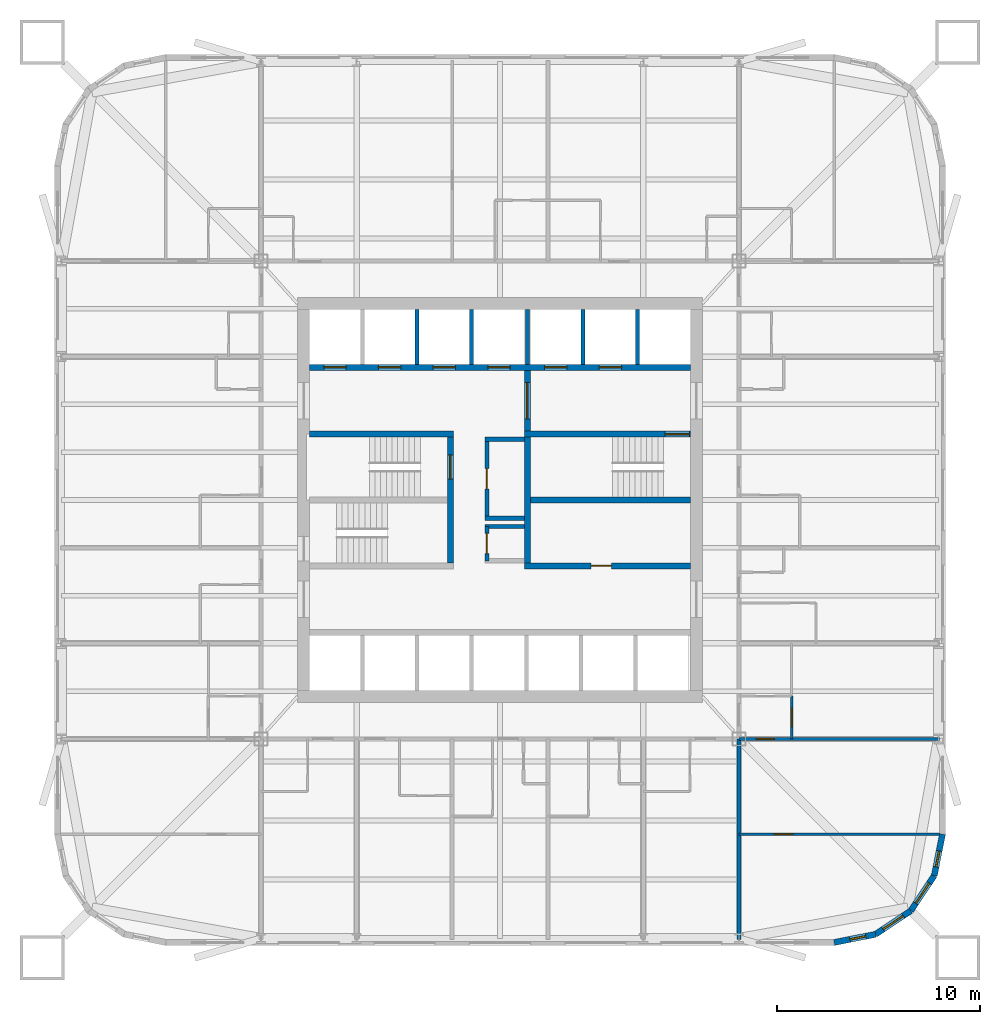
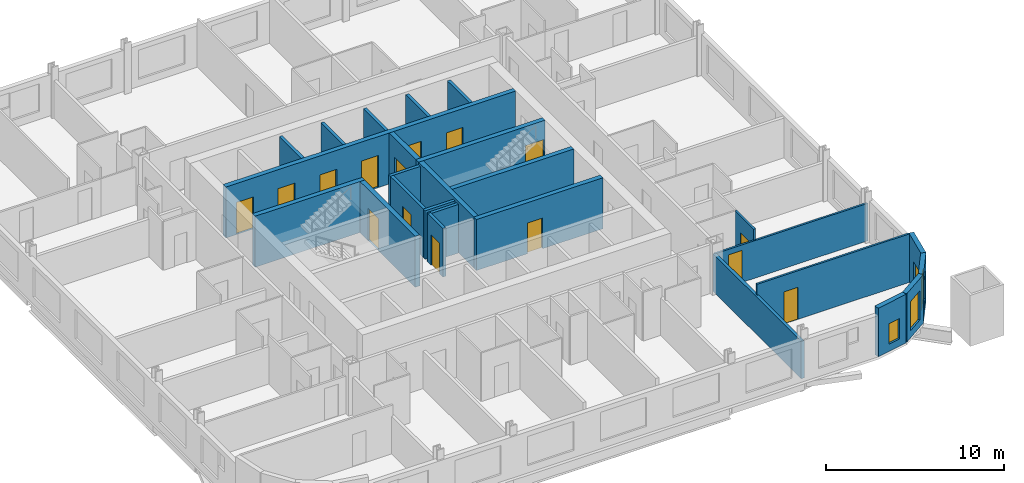
# One storey, part 5 of 10: 25 walls, 15 doors, 4 windows, 19 openings.
"""IFC4 building model written with IfcOpenShell, lengths in metres."""

from ifc_helpers import new_model, si_unit, direction, frame, frame_2d, origin, place, context, subcontext, project, spatial, rectangle, extrude, material, layer, layer_set, type_object, element, fill, save


model = new_model("IFC4")

# Units and contexts
model_context = context("Model", 3, precision=1e-05, world=origin(), true_north=direction((0.0, 1.0)))
body_context = subcontext(model_context, "Body", "Model", "MODEL_VIEW")
ifc_project = project(units=[si_unit("LENGTHUNIT", "METRE"), si_unit("AREAUNIT", "SQUARE_METRE"), si_unit("VOLUMEUNIT", "CUBIC_METRE"), si_unit("PLANEANGLEUNIT", "RADIAN"), si_unit("MASSUNIT", "GRAM", prefix="KILO")], contexts=[model_context])

# Site, building, storey
site_placement = place(None, origin())
site = spatial("IfcSite", under=ifc_project, at=site_placement, CompositionType="ELEMENT")
building_placement = place(site_placement, origin())
building = spatial("IfcBuilding", under=site, at=building_placement, Name="Turquesa Mirador Hotel Tower", CompositionType="ELEMENT")
storey_placement = place(building_placement, frame((0.0, 0.0, 77.5)))
storey = spatial("IfcBuildingStorey", under=building, at=storey_placement, Name="L20", CompositionType="ELEMENT", Elevation=77.5)

# Wall, openings, doors
ifc_material_1 = material(Name="Concrete C50/60", Category="concrete")
ifc_layer_1 = layer(ifc_material_1, 0.300048828125)
ifc_layer_set_1 = layer_set([ifc_layer_1], Name="CORE INNER WALL 300")
wall_type_1 = type_object("IfcWallType", Name="CORE INNER WALL 300", PredefinedType="SHEAR", material=ifc_layer_set_1)
wall_1_placement = place(storey_placement, frame((45.60009765625, 51.550048828125, 0.0), z_axis=(0.0, 0.0, 1.0), x_axis=(1.0, 0.0, 0.0)))
wall_1 = element("IfcWall", 1, at=wall_1_placement, inside=storey, type_object=wall_type_1, Name="Core wall NL", PredefinedType="SHEAR", context=body_context, shape_type="SweptSolid", body=[
    extrude(rectangle(XDim=18.7998046875, YDim=0.300048828125, at=frame_2d((9.39990234375, 0.0))), origin(), (0.0, 0.0, 1.0), 3.5),
])
opening_1_placement = place(wall_1_placement, frame((0.699951171875, 0.0, 0.0)))
opening_1 = element("IfcOpeningElement", 2, at=opening_1_placement, cuts=wall_1, Name="Opening LD", PredefinedType="OPENING", context=body_context, shape_type="SweptSolid", body=[
    extrude(rectangle(XDim=1.10009765625, YDim=2.199951171875, at=frame_2d((0.550048828125, 1.10009765625))), frame((0.0, 0.159912109375, 0.0), z_axis=(0.0, -1.0, 0.0), x_axis=(1.0, 0.0, 0.0)), (0.0, 0.0, 1.0), 0.320068359375),
])
opening_2_placement = place(wall_1_placement, frame((3.39990234375, 0.0, 0.0)))
opening_2 = element("IfcOpeningElement", 3, at=opening_2_placement, cuts=wall_1, Name="Opening LD", PredefinedType="OPENING", context=body_context, shape_type="SweptSolid", body=[
    extrude(rectangle(XDim=1.10009765625, YDim=2.199951171875, at=frame_2d((0.550048828125, 1.10009765625))), frame((0.0, 0.159912109375, 0.0), z_axis=(0.0, -1.0, 0.0), x_axis=(1.0, 0.0, 0.0)), (0.0, 0.0, 1.0), 0.320068359375),
])
opening_3_placement = place(wall_1_placement, frame((6.10009765625, 0.0, 0.0)))
opening_3 = element("IfcOpeningElement", 4, at=opening_3_placement, cuts=wall_1, Name="Opening LD", PredefinedType="OPENING", context=body_context, shape_type="SweptSolid", body=[
    extrude(rectangle(XDim=1.10009765625, YDim=2.199951171875, at=frame_2d((0.550048828125, 1.10009765625))), frame((0.0, 0.159912109375, 0.0), z_axis=(0.0, -1.0, 0.0), x_axis=(1.0, 0.0, 0.0)), (0.0, 0.0, 1.0), 0.320068359375),
])
opening_4_placement = place(wall_1_placement, frame((8.800048828125, 0.0, 0.0)))
opening_4 = element("IfcOpeningElement", 5, at=opening_4_placement, cuts=wall_1, Name="Opening LD", PredefinedType="OPENING", context=body_context, shape_type="SweptSolid", body=[
    extrude(rectangle(XDim=1.10009765625, YDim=2.199951171875, at=frame_2d((0.550048828125, 1.10009765625))), frame((0.0, 0.159912109375, 0.0), z_axis=(0.0, -1.0, 0.0), x_axis=(1.0, 0.0, 0.0)), (0.0, 0.0, 1.0), 0.320068359375),
])
opening_5_placement = place(wall_1_placement, frame((11.60009765625, 0.0, 0.0)))
opening_5 = element("IfcOpeningElement", 6, at=opening_5_placement, cuts=wall_1, Name="Opening LD", PredefinedType="OPENING", context=body_context, shape_type="SweptSolid", body=[
    extrude(rectangle(XDim=1.10009765625, YDim=2.199951171875, at=frame_2d((0.550048828125, 1.10009765625))), frame((0.0, 0.159912109375, 0.0), z_axis=(0.0, -1.0, 0.0), x_axis=(1.0, 0.0, 0.0)), (0.0, 0.0, 1.0), 0.320068359375),
])
opening_6_placement = place(wall_1_placement, frame((14.300048828125, 0.0, 0.0)))
opening_6 = element("IfcOpeningElement", 7, at=opening_6_placement, cuts=wall_1, Name="Opening LD", PredefinedType="OPENING", context=body_context, shape_type="SweptSolid", body=[
    extrude(rectangle(XDim=1.10009765625, YDim=2.199951171875, at=frame_2d((0.550048828125, 1.10009765625))), frame((0.0, 0.159912109375, 0.0), z_axis=(0.0, -1.0, 0.0), x_axis=(1.0, 0.0, 0.0)), (0.0, 0.0, 1.0), 0.320068359375),
])
ifc_material_2 = material(Name="Stainless steel lift landing door", Category="steel")
door_type_1 = type_object("IfcDoorType", Name="LIFT LANDING DOOR 1100X2200", OperationType="SLIDING_TO_LEFT", PredefinedType="DOOR", material=ifc_material_2)
door_1_placement = place(opening_1_placement, origin())
door_1 = element("IfcDoor", 8, at=door_1_placement, inside=storey, type_object=door_type_1, Name="Lift A1 landing door", OperationType="SLIDING_TO_LEFT", OverallHeight=2.199951171875, OverallWidth=1.10009765625, PredefinedType="DOOR", context=body_context, shape_type="SweptSolid", body=[
    extrude(rectangle(XDim=1.10009765625, YDim=2.199951171875, at=frame_2d((0.550048828125, 1.10009765625))), frame((0.0, 0.02490234375, 0.0), z_axis=(0.0, -1.0, 0.0), x_axis=(1.0, 0.0, 0.0)), (0.0, 0.0, 1.0), 0.050048828125),
])
fill(opening_1, door_1)
door_2_placement = place(opening_2_placement, origin())
door_2 = element("IfcDoor", 9, at=door_2_placement, inside=storey, type_object=door_type_1, Name="Lift A2 landing door", OperationType="SLIDING_TO_LEFT", OverallHeight=2.199951171875, OverallWidth=1.10009765625, PredefinedType="DOOR", context=body_context, shape_type="SweptSolid", body=[
    extrude(rectangle(XDim=1.10009765625, YDim=2.199951171875, at=frame_2d((0.550048828125, 1.10009765625))), frame((0.0, 0.02490234375, 0.0), z_axis=(0.0, -1.0, 0.0), x_axis=(1.0, 0.0, 0.0)), (0.0, 0.0, 1.0), 0.050048828125),
])
fill(opening_2, door_2)
door_3_placement = place(opening_3_placement, origin())
door_3 = element("IfcDoor", 10, at=door_3_placement, inside=storey, type_object=door_type_1, Name="Lift A3 landing door", OperationType="SLIDING_TO_LEFT", OverallHeight=2.199951171875, OverallWidth=1.10009765625, PredefinedType="DOOR", context=body_context, shape_type="SweptSolid", body=[
    extrude(rectangle(XDim=1.10009765625, YDim=2.199951171875, at=frame_2d((0.550048828125, 1.10009765625))), frame((0.0, 0.02490234375, 0.0), z_axis=(0.0, -1.0, 0.0), x_axis=(1.0, 0.0, 0.0)), (0.0, 0.0, 1.0), 0.050048828125),
])
fill(opening_3, door_3)
door_4_placement = place(opening_4_placement, origin())
door_4 = element("IfcDoor", 11, at=door_4_placement, inside=storey, type_object=door_type_1, Name="Lift A4 landing door", OperationType="SLIDING_TO_LEFT", OverallHeight=2.199951171875, OverallWidth=1.10009765625, PredefinedType="DOOR", context=body_context, shape_type="SweptSolid", body=[
    extrude(rectangle(XDim=1.10009765625, YDim=2.199951171875, at=frame_2d((0.550048828125, 1.10009765625))), frame((0.0, 0.02490234375, 0.0), z_axis=(0.0, -1.0, 0.0), x_axis=(1.0, 0.0, 0.0)), (0.0, 0.0, 1.0), 0.050048828125),
])
fill(opening_4, door_4)
door_5_placement = place(opening_5_placement, origin())
door_5 = element("IfcDoor", 12, at=door_5_placement, inside=storey, type_object=door_type_1, Name="Lift S1 landing door", OperationType="SLIDING_TO_LEFT", OverallHeight=2.199951171875, OverallWidth=1.10009765625, PredefinedType="DOOR", context=body_context, shape_type="SweptSolid", body=[
    extrude(rectangle(XDim=1.10009765625, YDim=2.199951171875, at=frame_2d((0.550048828125, 1.10009765625))), frame((0.0, 0.02490234375, 0.0), z_axis=(0.0, -1.0, 0.0), x_axis=(1.0, 0.0, 0.0)), (0.0, 0.0, 1.0), 0.050048828125),
])
fill(opening_5, door_5)
door_6_placement = place(opening_6_placement, origin())
door_6 = element("IfcDoor", 13, at=door_6_placement, inside=storey, type_object=door_type_1, Name="Lift S2 landing door", OperationType="SLIDING_TO_LEFT", OverallHeight=2.199951171875, OverallWidth=1.10009765625, PredefinedType="DOOR", context=body_context, shape_type="SweptSolid", body=[
    extrude(rectangle(XDim=1.10009765625, YDim=2.199951171875, at=frame_2d((0.550048828125, 1.10009765625))), frame((0.0, 0.02490234375, 0.0), z_axis=(0.0, -1.0, 0.0), x_axis=(1.0, 0.0, 0.0)), (0.0, 0.0, 1.0), 0.050048828125),
])
fill(opening_6, door_6)

# Wall
wall_2_placement = place(storey_placement, frame((45.60009765625, 48.25, 0.0), z_axis=(0.0, 0.0, 1.0), x_axis=(1.0, 0.0, 0.0)))
element("IfcWall", 14, at=wall_2_placement, inside=storey, type_object=wall_type_1, Name="Core wall MN-W", PredefinedType="SHEAR", context=body_context, shape_type="SweptSolid", body=[
    extrude(rectangle(XDim=7.099853515625, YDim=0.300048828125, at=frame_2d((3.5498046875, 0.0))), origin(), (0.0, 0.0, 1.0), 3.5),
])

# Wall, opening, door
wall_3_placement = place(storey_placement, frame((56.199951171875, 48.25, 0.0), z_axis=(0.0, 0.0, 1.0), x_axis=(1.0, 0.0, 0.0)))
wall_3 = element("IfcWall", 15, at=wall_3_placement, inside=storey, type_object=wall_type_1, Name="Core wall MN-E", PredefinedType="SHEAR", context=body_context, shape_type="SweptSolid", body=[
    extrude(rectangle(XDim=8.199951171875, YDim=0.300048828125, at=frame_2d((4.10009765625, 0.0))), origin(), (0.0, 0.0, 1.0), 3.5),
])
opening_7_placement = place(wall_3_placement, frame((6.949951171875, 0.0, 0.0)))
opening_7 = element("IfcOpeningElement", 16, at=opening_7_placement, cuts=wall_3, Name="Opening D03", PredefinedType="OPENING", context=body_context, shape_type="SweptSolid", body=[
    extrude(rectangle(XDim=1.199951171875, YDim=2.199951171875, at=frame_2d((0.60009765625, 1.10009765625))), frame((0.0, 0.159912109375, 0.0), z_axis=(0.0, -1.0, 0.0), x_axis=(1.0, 0.0, 0.0)), (0.0, 0.0, 1.0), 0.320068359375),
])
ifc_material_3 = material(Name="Steel fire door", Category="steel")
door_type_2 = type_object("IfcDoorType", Name="DOOR 1200X2200 STAIR", OperationType="SINGLE_SWING_LEFT", PredefinedType="DOOR", material=ifc_material_3)
door_7_placement = place(opening_7_placement, origin())
door_7 = element("IfcDoor", 17, at=door_7_placement, inside=storey, type_object=door_type_2, Name="Stair ST3 door", OperationType="SINGLE_SWING_LEFT", OverallHeight=2.199951171875, OverallWidth=1.199951171875, PredefinedType="DOOR", context=body_context, shape_type="SweptSolid", body=[
    extrude(rectangle(XDim=1.199951171875, YDim=2.199951171875, at=frame_2d((0.60009765625, 1.10009765625))), frame((0.0, 0.02490234375, 0.0), z_axis=(0.0, -1.0, 0.0), x_axis=(1.0, 0.0, 0.0)), (0.0, 0.0, 1.0), 0.050048828125),
])
fill(opening_7, door_7)

wall_4_placement = place(storey_placement, frame((56.199951171875, 41.75, 0.0), z_axis=(0.0, 0.0, 1.0), x_axis=(1.0, 0.0, 0.0)))
wall_4 = element("IfcWall", 18, at=wall_4_placement, inside=storey, type_object=wall_type_1, Name="Core wall MS-E", PredefinedType="SHEAR", context=body_context, shape_type="SweptSolid", body=[
    extrude(rectangle(XDim=8.199951171875, YDim=0.300048828125, at=frame_2d((4.10009765625, 0.0))), origin(), (0.0, 0.0, 1.0), 3.5),
])
opening_8_placement = place(wall_4_placement, frame((3.300048828125, 0.0, 0.0)))
opening_8 = element("IfcOpeningElement", 19, at=opening_8_placement, cuts=wall_4, Name="Opening D05", PredefinedType="OPENING", context=body_context, shape_type="SweptSolid", body=[
    extrude(rectangle(XDim=1.0, YDim=2.10009765625, at=frame_2d((0.5, 1.050048828125))), frame((0.0, 0.159912109375, 0.0), z_axis=(0.0, -1.0, 0.0), x_axis=(1.0, 0.0, 0.0)), (0.0, 0.0, 1.0), 0.320068359375),
])
ifc_material_4 = material(Name="Steel fire door", Category="steel")
door_type_3 = type_object("IfcDoorType", Name="DOOR 1000X2100 SERVICE", OperationType="SINGLE_SWING_LEFT", PredefinedType="DOOR", material=ifc_material_4)
door_8_placement = place(opening_8_placement, origin())
door_8 = element("IfcDoor", 20, at=door_8_placement, inside=storey, type_object=door_type_3, Name="Housekeeping room door", OperationType="SINGLE_SWING_LEFT", OverallHeight=2.10009765625, OverallWidth=1.0, PredefinedType="DOOR", context=body_context, shape_type="SweptSolid", body=[
    extrude(rectangle(XDim=1.0, YDim=2.10009765625, at=frame_2d((0.5, 1.050048828125))), frame((0.0, 0.02490234375, 0.0), z_axis=(0.0, -1.0, 0.0), x_axis=(1.0, 0.0, 0.0)), (0.0, 0.0, 1.0), 0.050048828125),
])
fill(opening_8, door_8)

wall_5_placement = place(storey_placement, frame((52.550048828125, 41.89990234375, 0.0), z_axis=(0.0, 0.0, 1.0), x_axis=(0.0, 1.0, 0.0)))
wall_5 = element("IfcWall", 21, at=wall_5_placement, inside=storey, type_object=wall_type_1, Name="Core wall PW", PredefinedType="SHEAR", context=body_context, shape_type="SweptSolid", body=[
    extrude(rectangle(XDim=6.2001953125, YDim=0.300048828125, at=frame_2d((3.10009765625, 0.0))), origin(), (0.0, 0.0, 1.0), 3.5),
])
opening_9_placement = place(wall_5_placement, frame((4.125, 0.0, 0.0)))
opening_9 = element("IfcOpeningElement", 22, at=opening_9_placement, cuts=wall_5, Name="Opening D03", PredefinedType="OPENING", context=body_context, shape_type="SweptSolid", body=[
    extrude(rectangle(XDim=1.199951171875, YDim=2.199951171875, at=frame_2d((0.60009765625, 1.10009765625))), frame((0.0, 0.159912109375, 0.0), z_axis=(0.0, -1.0, 0.0), x_axis=(1.0, 0.0, 0.0)), (0.0, 0.0, 1.0), 0.320068359375),
])
door_9_placement = place(opening_9_placement, origin())
door_9 = element("IfcDoor", 23, at=door_9_placement, inside=storey, type_object=door_type_2, Name="Stair ST1 door", OperationType="SINGLE_SWING_LEFT", OverallHeight=2.199951171875, OverallWidth=1.199951171875, PredefinedType="DOOR", context=body_context, shape_type="SweptSolid", body=[
    extrude(rectangle(XDim=1.199951171875, YDim=2.199951171875, at=frame_2d((0.60009765625, 1.10009765625))), frame((0.0, 0.02490234375, 0.0), z_axis=(0.0, -1.0, 0.0), x_axis=(1.0, 0.0, 0.0)), (0.0, 0.0, 1.0), 0.050048828125),
])
fill(opening_9, door_9)

wall_6_placement = place(storey_placement, frame((56.35009765625, 41.89990234375, 0.0), z_axis=(0.0, 0.0, 1.0), x_axis=(0.0, 1.0, 0.0)))
wall_6 = element("IfcWall", 24, at=wall_6_placement, inside=storey, type_object=wall_type_1, Name="Core wall PE", PredefinedType="SHEAR", context=body_context, shape_type="SweptSolid", body=[
    extrude(rectangle(XDim=9.5, YDim=0.300048828125, at=frame_2d((4.75, 0.0))), origin(), (0.0, 0.0, 1.0), 3.5),
])
opening_10_placement = place(wall_6_placement, frame((7.10009765625, 0.0, 0.0)))
opening_10 = element("IfcOpeningElement", 25, at=opening_10_placement, cuts=wall_6, Name="Opening D04", PredefinedType="OPENING", context=body_context, shape_type="SweptSolid", body=[
    extrude(rectangle(XDim=1.800048828125, YDim=2.199951171875, at=frame_2d((0.89990234375, 1.10009765625))), frame((0.0, 0.159912109375, 0.0), z_axis=(0.0, -1.0, 0.0), x_axis=(1.0, 0.0, 0.0)), (0.0, 0.0, 1.0), 0.320068359375),
])
ifc_material_5 = material(Name="Steel fire door pair", Category="steel")
door_type_4 = type_object("IfcDoorType", Name="DOOR 1800X2200 PAIR", OperationType="DOUBLE_DOOR_SINGLE_SWING", PredefinedType="DOOR", material=ifc_material_5)
door_10_placement = place(opening_10_placement, origin())
door_10 = element("IfcDoor", 26, at=door_10_placement, inside=storey, type_object=door_type_4, Name="Firefighting lobby inner door", OperationType="DOUBLE_DOOR_SINGLE_SWING", OverallHeight=2.199951171875, OverallWidth=1.800048828125, PredefinedType="DOOR", context=body_context, shape_type="SweptSolid", body=[
    extrude(rectangle(XDim=1.800048828125, YDim=2.199951171875, at=frame_2d((0.89990234375, 1.10009765625))), frame((0.0, 0.02490234375, 0.0), z_axis=(0.0, -1.0, 0.0), x_axis=(1.0, 0.0, 0.0)), (0.0, 0.0, 1.0), 0.050048828125),
])
fill(opening_10, door_10)

# Wall
wall_7_placement = place(storey_placement, frame((56.5, 45.0, 0.0), z_axis=(0.0, 0.0, 1.0), x_axis=(1.0, 0.0, 0.0)))
element("IfcWall", 27, at=wall_7_placement, inside=storey, type_object=wall_type_1, Name="Core wall M0-E", PredefinedType="SHEAR", context=body_context, shape_type="SweptSolid", body=[
    extrude(rectangle(XDim=7.89990234375, YDim=0.300048828125, at=frame_2d((3.949951171875, 0.0))), origin(), (0.0, 0.0, 1.0), 3.5),
])

# Wall, opening, window
ifc_material_6 = material(Name="Limestone cladding on concrete block", Category="masonry")
ifc_layer_2 = layer(ifc_material_6, 0.300048828125)
ifc_layer_set_2 = layer_set([ifc_layer_2], Name="FACADE WALL 300 STONE SCREEN")
wall_type_2 = type_object("IfcWallType", Name="FACADE WALL 300 STONE SCREEN", PredefinedType="SOLIDWALL", material=ifc_layer_set_2)
wall_8_placement = place(storey_placement, frame((71.5, 23.14990234375, 0.0), z_axis=(0.0, 0.0, 1.0), x_axis=(0.980787050784, 0.195081421501, 0.0)))
wall_8 = element("IfcWall", 28, at=wall_8_placement, inside=storey, type_object=wall_type_2, Name="Facade wall L20 00", PredefinedType="SOLIDWALL", context=body_context, shape_type="SweptSolid", body=[
    extrude(rectangle(XDim=2.08740234375, YDim=0.300048828125, at=frame_2d((1.043701171875, 0.0))), origin(), (0.0, 0.0, 1.0), 3.330078125),
])
opening_11_placement = place(wall_8_placement, frame((0.793701171875, 0.0, 0.5)))
opening_11 = element("IfcOpeningElement", 29, at=opening_11_placement, cuts=wall_8, Name="Opening WN20", PredefinedType="OPENING", context=body_context, shape_type="SweptSolid", body=[
    extrude(rectangle(XDim=0.800048828125, YDim=1.39990234375, at=frame_2d((0.39990234375, 0.699951171875))), frame((0.0, 0.159912109375, 0.0), z_axis=(0.0, -1.0, 0.0), x_axis=(1.0, 0.0, 0.0)), (0.0, 0.0, 1.0), 0.320068359375),
])
ifc_material_7 = material(Name="Ceramic-fritted laminated glass", Category="glass")
window_type_1 = type_object("IfcWindowType", Name="FRITTED CORNER WINDOW 800X1400", PartitioningType="DOUBLE_PANEL_HORIZONTAL", PredefinedType="WINDOW", material=ifc_material_7)
window_1_placement = place(opening_11_placement, origin())
window_1 = element("IfcWindow", 30, at=window_1_placement, inside=storey, type_object=window_type_1, Name="Window L20", OverallHeight=1.39990234375, OverallWidth=0.800048828125, PartitioningType="SINGLE_PANEL", PredefinedType="WINDOW", context=body_context, shape_type="SweptSolid", body=[
    extrude(rectangle(XDim=0.800048828125, YDim=1.39990234375, at=frame_2d((0.39990234375, 0.699951171875))), frame((0.0, 0.030029296875, 0.0), z_axis=(0.0, -1.0, 0.0), x_axis=(1.0, 0.0, 0.0)), (0.0, 0.0, 1.0), 0.06005859375),
])
fill(opening_11, window_1)

wall_9_placement = place(storey_placement, frame((73.54736328125, 23.55712890625, 0.0), z_axis=(0.0, 0.0, 1.0), x_axis=(0.831420010345, 0.555644460423, 0.0)))
wall_9 = element("IfcWall", 31, at=wall_9_placement, inside=storey, type_object=wall_type_2, Name="Facade wall L20 01", PredefinedType="SOLIDWALL", context=body_context, shape_type="SweptSolid", body=[
    extrude(rectangle(XDim=2.08740234375, YDim=0.300048828125, at=frame_2d((1.043701171875, 0.0))), origin(), (0.0, 0.0, 1.0), 3.330078125),
])
opening_12_placement = place(wall_9_placement, frame((0.443603515625, 0.0, 0.5)))
opening_12 = element("IfcOpeningElement", 32, at=opening_12_placement, cuts=wall_9, Name="Opening WN4", PredefinedType="OPENING", context=body_context, shape_type="SweptSolid", body=[
    extrude(rectangle(XDim=1.199951171875, YDim=2.0, at=frame_2d((0.60009765625, 1.0))), frame((0.0, 0.159912109375, 0.0), z_axis=(0.0, -1.0, 0.0), x_axis=(1.0, 0.0, 0.0)), (0.0, 0.0, 1.0), 0.320068359375),
])
ifc_material_8 = material(Name="Ceramic-fritted laminated glass", Category="glass")
window_type_2 = type_object("IfcWindowType", Name="FRITTED CORNER WINDOW 1200X2000", PartitioningType="DOUBLE_PANEL_HORIZONTAL", PredefinedType="WINDOW", material=ifc_material_8)
window_2_placement = place(opening_12_placement, origin())
window_2 = element("IfcWindow", 33, at=window_2_placement, inside=storey, type_object=window_type_2, Name="Window L20", OverallHeight=2.0, OverallWidth=1.199951171875, PartitioningType="SINGLE_PANEL", PredefinedType="WINDOW", context=body_context, shape_type="SweptSolid", body=[
    extrude(rectangle(XDim=1.199951171875, YDim=2.0, at=frame_2d((0.60009765625, 1.0))), frame((0.0, 0.030029296875, 0.0), z_axis=(0.0, -1.0, 0.0), x_axis=(1.0, 0.0, 0.0)), (0.0, 0.0, 1.0), 0.06005859375),
])
fill(opening_12, window_2)

wall_10_placement = place(storey_placement, frame((75.282958984375, 24.717041015625, 0.0), z_axis=(0.0, 0.0, 1.0), x_axis=(0.555644460423, 0.831420010345, 0.0)))
wall_10 = element("IfcWall", 34, at=wall_10_placement, inside=storey, type_object=wall_type_2, Name="Facade wall L20 02", PredefinedType="SOLIDWALL", context=body_context, shape_type="SweptSolid", body=[
    extrude(rectangle(XDim=2.08740234375, YDim=0.300048828125, at=frame_2d((1.043701171875, 0.0))), origin(), (0.0, 0.0, 1.0), 3.330078125),
])
opening_13_placement = place(wall_10_placement, frame((0.443603515625, 0.0, 0.5)))
opening_13 = element("IfcOpeningElement", 35, at=opening_13_placement, cuts=wall_10, Name="Opening WN4", PredefinedType="OPENING", context=body_context, shape_type="SweptSolid", body=[
    extrude(rectangle(XDim=1.199951171875, YDim=2.0, at=frame_2d((0.60009765625, 1.0))), frame((0.0, 0.159912109375, 0.0), z_axis=(0.0, -1.0, 0.0), x_axis=(1.0, 0.0, 0.0)), (0.0, 0.0, 1.0), 0.320068359375),
])
window_3_placement = place(opening_13_placement, origin())
window_3 = element("IfcWindow", 36, at=window_3_placement, inside=storey, type_object=window_type_2, Name="Window L20", OverallHeight=2.0, OverallWidth=1.199951171875, PartitioningType="SINGLE_PANEL", PredefinedType="WINDOW", context=body_context, shape_type="SweptSolid", body=[
    extrude(rectangle(XDim=1.199951171875, YDim=2.0, at=frame_2d((0.60009765625, 1.0))), frame((0.0, 0.030029296875, 0.0), z_axis=(0.0, -1.0, 0.0), x_axis=(1.0, 0.0, 0.0)), (0.0, 0.0, 1.0), 0.06005859375),
])
fill(opening_13, window_3)

wall_11_placement = place(storey_placement, frame((76.44287109375, 26.45263671875, 0.0), z_axis=(0.0, 0.0, 1.0), x_axis=(0.195081421501, 0.980787050784, 0.0)))
wall_11 = element("IfcWall", 37, at=wall_11_placement, inside=storey, type_object=wall_type_2, Name="Facade wall L20 03", PredefinedType="SOLIDWALL", context=body_context, shape_type="SweptSolid", body=[
    extrude(rectangle(XDim=2.08740234375, YDim=0.300048828125, at=frame_2d((1.043701171875, 0.0))), origin(), (0.0, 0.0, 1.0), 3.330078125),
])
opening_14_placement = place(wall_11_placement, frame((0.443603515625, 0.0, 0.5)))
opening_14 = element("IfcOpeningElement", 38, at=opening_14_placement, cuts=wall_11, Name="Opening WN20", PredefinedType="OPENING", context=body_context, shape_type="SweptSolid", body=[
    extrude(rectangle(XDim=0.800048828125, YDim=1.39990234375, at=frame_2d((0.39990234375, 0.699951171875))), frame((0.0, 0.159912109375, 0.0), z_axis=(0.0, -1.0, 0.0), x_axis=(1.0, 0.0, 0.0)), (0.0, 0.0, 1.0), 0.320068359375),
])
window_4_placement = place(opening_14_placement, origin())
window_4 = element("IfcWindow", 39, at=window_4_placement, inside=storey, type_object=window_type_1, Name="Window L20", OverallHeight=1.39990234375, OverallWidth=0.800048828125, PartitioningType="SINGLE_PANEL", PredefinedType="WINDOW", context=body_context, shape_type="SweptSolid", body=[
    extrude(rectangle(XDim=0.800048828125, YDim=1.39990234375, at=frame_2d((0.39990234375, 0.699951171875))), frame((0.0, 0.030029296875, 0.0), z_axis=(0.0, -1.0, 0.0), x_axis=(1.0, 0.0, 0.0)), (0.0, 0.0, 1.0), 0.06005859375),
])
fill(opening_14, window_4)

# Wall, opening, door
ifc_material_9 = material(Name="Fire-rated gypsum board on steel studs", Category="steel")
ifc_layer_3 = layer(ifc_material_9, 0.199951171875)
ifc_layer_set_3 = layer_set([ifc_layer_3], Name="FIRE PARTITION 200")
wall_type_3 = type_object("IfcWallType", Name="FIRE PARTITION 200", PredefinedType="PARTITIONING", material=ifc_layer_set_3)
wall_12_placement = place(storey_placement, frame((54.35009765625, 42.0, 0.0), z_axis=(0.0, 0.0, 1.0), x_axis=(0.0, 1.0, 0.0)))
wall_12 = element("IfcWall", 40, at=wall_12_placement, inside=storey, type_object=wall_type_3, Name="Partition L20 SW W", PredefinedType="PARTITIONING", context=body_context, shape_type="SweptSolid", body=[
    extrude(rectangle(XDim=1.699951171875, YDim=0.199951171875, at=frame_2d((0.85009765625, 0.0))), origin(), (0.0, 0.0, 1.0), 3.330078125),
])
opening_15_placement = place(wall_12_placement, frame((0.35009765625, 0.0, 0.0)))
opening_15 = element("IfcOpeningElement", 41, at=opening_15_placement, cuts=wall_12, Name="Opening D05", PredefinedType="OPENING", context=body_context, shape_type="SweptSolid", body=[
    extrude(rectangle(XDim=1.0, YDim=2.10009765625, at=frame_2d((0.5, 1.050048828125))), frame((0.0, 0.10986328125, 0.0), z_axis=(0.0, -1.0, 0.0), x_axis=(1.0, 0.0, 0.0)), (0.0, 0.0, 1.0), 0.219970703125),
])
door_11_placement = place(opening_15_placement, origin())
door_11 = element("IfcDoor", 42, at=door_11_placement, inside=storey, type_object=door_type_3, Name="Staff WC door", OperationType="SINGLE_SWING_LEFT", OverallHeight=2.10009765625, OverallWidth=1.0, PredefinedType="DOOR", context=body_context, shape_type="SweptSolid", body=[
    extrude(rectangle(XDim=1.0, YDim=2.10009765625, at=frame_2d((0.5, 1.050048828125))), frame((0.0, 0.02490234375, 0.0), z_axis=(0.0, -1.0, 0.0), x_axis=(1.0, 0.0, 0.0)), (0.0, 0.0, 1.0), 0.050048828125),
])
fill(opening_15, door_11)

# Wall
wall_13_placement = place(storey_placement, frame((54.25, 43.699951171875, 0.0), z_axis=(0.0, 0.0, 1.0), x_axis=(1.0, 0.0, 0.0)))
element("IfcWall", 43, at=wall_13_placement, inside=storey, type_object=wall_type_3, Name="Partition L20 SW N", PredefinedType="PARTITIONING", context=body_context, shape_type="SweptSolid", body=[
    extrude(rectangle(XDim=1.949951171875, YDim=0.199951171875, at=frame_2d((0.97509765625, 0.0))), origin(), (0.0, 0.0, 1.0), 3.330078125),
])

# Wall, opening, door
wall_14_placement = place(storey_placement, frame((54.35009765625, 44.10009765625, 0.0), z_axis=(0.0, 0.0, 1.0), x_axis=(0.0, 1.0, 0.0)))
wall_14 = element("IfcWall", 44, at=wall_14_placement, inside=storey, type_object=wall_type_3, Name="Partition L20 LG W", PredefinedType="PARTITIONING", context=body_context, shape_type="SweptSolid", body=[
    extrude(rectangle(XDim=3.89990234375, YDim=0.199951171875, at=frame_2d((1.949951171875, 0.0))), origin(), (0.0, 0.0, 1.0), 3.330078125),
])
opening_16_placement = place(wall_14_placement, frame((1.449951171875, 0.0, 0.0)))
opening_16 = element("IfcOpeningElement", 45, at=opening_16_placement, cuts=wall_14, Name="Opening D05", PredefinedType="OPENING", context=body_context, shape_type="SweptSolid", body=[
    extrude(rectangle(XDim=1.0, YDim=2.10009765625, at=frame_2d((0.5, 1.050048828125))), frame((0.0, 0.10986328125, 0.0), z_axis=(0.0, -1.0, 0.0), x_axis=(1.0, 0.0, 0.0)), (0.0, 0.0, 1.0), 0.219970703125),
])
door_12_placement = place(opening_16_placement, origin())
door_12 = element("IfcDoor", 46, at=door_12_placement, inside=storey, type_object=door_type_3, Name="Luggage room door", OperationType="SINGLE_SWING_LEFT", OverallHeight=2.10009765625, OverallWidth=1.0, PredefinedType="DOOR", context=body_context, shape_type="SweptSolid", body=[
    extrude(rectangle(XDim=1.0, YDim=2.10009765625, at=frame_2d((0.5, 1.050048828125))), frame((0.0, 0.02490234375, 0.0), z_axis=(0.0, -1.0, 0.0), x_axis=(1.0, 0.0, 0.0)), (0.0, 0.0, 1.0), 0.050048828125),
])
fill(opening_16, door_12)

# Walls
for number, where, z_axis, x_axis, name in (
    (47, (54.25, 44.10009765625, 0.0), (0.0, 0.0, 1.0), (1.0, 0.0, 0.0), "Partition L20 LG S"),
    (48, (54.25, 48.0, 0.0), (0.0, 0.0, 1.0), (1.0, 0.0, 0.0), "Partition L20 LG N"),
):
    element("IfcWall", number, at=place(storey_placement, frame(where, z_axis=z_axis, x_axis=x_axis)), inside=storey, type_object=wall_type_3, Name=name, PredefinedType="PARTITIONING", context=body_context, shape_type="SweptSolid", body=[
        extrude(rectangle(XDim=1.949951171875, YDim=0.199951171875, at=frame_2d((0.97509765625, 0.0))), origin(), (0.0, 0.0, 1.0), 3.330078125),
    ])
ifc_material_10 = material(Name="Fire-rated gypsum shaft wall on steel studs", Category="steel")
ifc_layer_4 = layer(ifc_material_10, 0.199951171875)
ifc_layer_set_4 = layer_set([ifc_layer_4], Name="LIFT SHAFT DIVIDER 200")
wall_type_4 = type_object("IfcWallType", Name="LIFT SHAFT DIVIDER 200", PredefinedType="PARTITIONING", material=ifc_layer_set_4)
for number, where, z_axis, x_axis, name in (
    (49, (50.89990234375, 51.699951171875, 0.0), (0.0, 0.0, 1.0), (0.0, 1.0, 0.0), "Lift shaft divider"),
    (50, (53.60009765625, 51.699951171875, 0.0), (0.0, 0.0, 1.0), (0.0, 1.0, 0.0), "Lift shaft divider"),
    (51, (59.10009765625, 51.699951171875, 0.0), (0.0, 0.0, 1.0), (0.0, 1.0, 0.0), "Lift shaft divider"),
    (52, (61.800048828125, 51.699951171875, 0.0), (0.0, 0.0, 1.0), (0.0, 1.0, 0.0), "Lift shaft divider"),
    (53, (56.35009765625, 51.699951171875, 0.0), (0.0, 0.0, 1.0), (0.0, 1.0, 0.0), "Lift shaft divider"),
):
    element("IfcWall", number, at=place(storey_placement, frame(where, z_axis=z_axis, x_axis=x_axis)), inside=storey, type_object=wall_type_4, Name=name, PredefinedType="PARTITIONING", context=body_context, shape_type="SweptSolid", body=[
        extrude(rectangle(XDim=2.699951171875, YDim=0.199951171875, at=frame_2d((1.35009765625, 0.0))), origin(), (0.0, 0.0, 1.0), 3.330078125),
    ])
ifc_material_11 = material(Name="Fire-rated gypsum board on steel studs", Category="steel")
ifc_layer_5 = layer(ifc_material_11, 0.199951171875)
ifc_layer_set_5 = layer_set([ifc_layer_5], Name="PARTY WALL 200")
wall_type_5 = type_object("IfcWallType", Name="PARTY WALL 200", PredefinedType="PARTITIONING", material=ifc_layer_set_5)
wall_15_placement = place(storey_placement, frame((66.800048828125, 23.300048828125, 0.0), z_axis=(0.0, 0.0, 1.0), x_axis=(0.0, 1.0, 0.0)))
element("IfcWall", 54, at=wall_15_placement, inside=storey, type_object=wall_type_5, Name="Partition L20 062", PredefinedType="PARTITIONING", context=body_context, shape_type="SweptSolid", body=[
    extrude(rectangle(XDim=9.89990234375, YDim=0.199951171875, at=frame_2d((4.949951171875, 0.0))), origin(), (0.0, 0.0, 1.0), 2.572998046875),
])

# Wall, opening, door
ifc_material_12 = material(Name="Acoustic gypsum board on steel studs", Category="steel")
ifc_layer_6 = layer(ifc_material_12, 0.125)
ifc_layer_set_6 = layer_set([ifc_layer_6], Name="SUITE PARTITION 125")
wall_type_6 = type_object("IfcWallType", Name="SUITE PARTITION 125", PredefinedType="PARTITIONING", material=ifc_layer_set_6)
wall_16_placement = place(storey_placement, frame((66.800048828125, 33.199951171875, 0.0), z_axis=(0.0, 0.0, 1.0), x_axis=(1.0, 0.0, 0.0)))
wall_16 = element("IfcWall", 55, at=wall_16_placement, inside=storey, type_object=wall_type_6, Name="Partition L20 003", PredefinedType="PARTITIONING", context=body_context, shape_type="SweptSolid", body=[
    extrude(rectangle(XDim=9.89990234375, YDim=0.125, at=frame_2d((4.949951171875, 0.0))), origin(), (0.0, 0.0, 1.0), 2.572998046875),
])
opening_17_placement = place(wall_16_placement, frame((0.85009765625, 0.0, 0.0)))
opening_17 = element("IfcOpeningElement", 56, at=opening_17_placement, cuts=wall_16, Name="Opening D17", PredefinedType="OPENING", context=body_context, shape_type="SweptSolid", body=[
    extrude(rectangle(XDim=0.89990234375, YDim=2.199951171875, at=frame_2d((0.449951171875, 1.10009765625))), frame((0.0, 0.072509765625, 0.0), z_axis=(0.0, -1.0, 0.0), x_axis=(1.0, 0.0, 0.0)), (0.0, 0.0, 1.0), 0.14501953125),
])
ifc_material_13 = material(Name="Timber veneered door", Category="wood")
door_type_5 = type_object("IfcDoorType", Name="DOOR 900X2200 SUITE INTERNAL", OperationType="SINGLE_SWING_LEFT", PredefinedType="DOOR", material=ifc_material_13)
door_13_placement = place(opening_17_placement, origin())
door_13 = element("IfcDoor", 57, at=door_13_placement, inside=storey, type_object=door_type_5, Name="Door 2015", OperationType="SINGLE_SWING_LEFT", OverallHeight=2.199951171875, OverallWidth=0.89990234375, PredefinedType="DOOR", context=body_context, shape_type="SweptSolid", body=[
    extrude(rectangle(XDim=0.89990234375, YDim=2.199951171875, at=frame_2d((0.449951171875, 1.10009765625))), frame((0.0, 0.02490234375, 0.0), z_axis=(0.0, -1.0, 0.0), x_axis=(1.0, 0.0, 0.0)), (0.0, 0.0, 1.0), 0.050048828125),
])
fill(opening_17, door_13)

wall_17_placement = place(storey_placement, frame((66.800048828125, 28.5, 0.0), z_axis=(0.0, 0.0, 1.0), x_axis=(1.0, 0.0, 0.0)))
wall_17 = element("IfcWall", 58, at=wall_17_placement, inside=storey, type_object=wall_type_6, Name="Partition L20 012", PredefinedType="PARTITIONING", context=body_context, shape_type="SweptSolid", body=[
    extrude(rectangle(XDim=9.89404296875, YDim=0.125, at=frame_2d((4.947021484375, 0.0))), origin(), (0.0, 0.0, 1.0), 3.330078125),
])
opening_18_placement = place(wall_17_placement, frame((1.75, 0.0, 0.0)))
opening_18 = element("IfcOpeningElement", 59, at=opening_18_placement, cuts=wall_17, Name="Opening D17", PredefinedType="OPENING", context=body_context, shape_type="SweptSolid", body=[
    extrude(rectangle(XDim=0.89990234375, YDim=2.199951171875, at=frame_2d((0.449951171875, 1.10009765625))), frame((0.0, 0.072509765625, 0.0), z_axis=(0.0, -1.0, 0.0), x_axis=(1.0, 0.0, 0.0)), (0.0, 0.0, 1.0), 0.14501953125),
])
door_14_placement = place(opening_18_placement, origin())
door_14 = element("IfcDoor", 60, at=door_14_placement, inside=storey, type_object=door_type_5, Name="Door 2015M", OperationType="SINGLE_SWING_LEFT", OverallHeight=2.199951171875, OverallWidth=0.89990234375, PredefinedType="DOOR", context=body_context, shape_type="SweptSolid", body=[
    extrude(rectangle(XDim=0.89990234375, YDim=2.199951171875, at=frame_2d((0.449951171875, 1.10009765625))), frame((0.0, 0.02490234375, 0.0), z_axis=(0.0, -1.0, 0.0), x_axis=(1.0, 0.0, 0.0)), (0.0, 0.0, 1.0), 0.050048828125),
])
fill(opening_18, door_14)

wall_18_placement = place(storey_placement, frame((69.39990234375, 33.199951171875, 0.0), z_axis=(0.0, 0.0, 1.0), x_axis=(0.0, 1.0, 0.0)))
wall_18 = element("IfcWall", 61, at=wall_18_placement, inside=storey, type_object=wall_type_6, Name="Partition L20 069", PredefinedType="PARTITIONING", context=body_context, shape_type="SweptSolid", body=[
    extrude(rectangle(XDim=2.1201171875, YDim=0.125, at=frame_2d((1.06005859375, 0.0))), origin(), (0.0, 0.0, 1.0), 3.330078125),
])
opening_19_placement = place(wall_18_placement, frame((0.610107421875, 0.0, 0.0)))
opening_19 = element("IfcOpeningElement", 62, at=opening_19_placement, cuts=wall_18, Name="Opening D17", PredefinedType="OPENING", context=body_context, shape_type="SweptSolid", body=[
    extrude(rectangle(XDim=0.89990234375, YDim=2.199951171875, at=frame_2d((0.449951171875, 1.10009765625))), frame((0.0, 0.072509765625, 0.0), z_axis=(0.0, -1.0, 0.0), x_axis=(1.0, 0.0, 0.0)), (0.0, 0.0, 1.0), 0.14501953125),
])
door_15_placement = place(opening_19_placement, origin())
door_15 = element("IfcDoor", 63, at=door_15_placement, inside=storey, type_object=door_type_5, Name="Door 2015R", OperationType="SINGLE_SWING_LEFT", OverallHeight=2.199951171875, OverallWidth=0.89990234375, PredefinedType="DOOR", context=body_context, shape_type="SweptSolid", body=[
    extrude(rectangle(XDim=0.89990234375, YDim=2.199951171875, at=frame_2d((0.449951171875, 1.10009765625))), frame((0.0, 0.02490234375, 0.0), z_axis=(0.0, -1.0, 0.0), x_axis=(1.0, 0.0, 0.0)), (0.0, 0.0, 1.0), 0.050048828125),
])
fill(opening_19, door_15)

save(model, "model.ifc")
